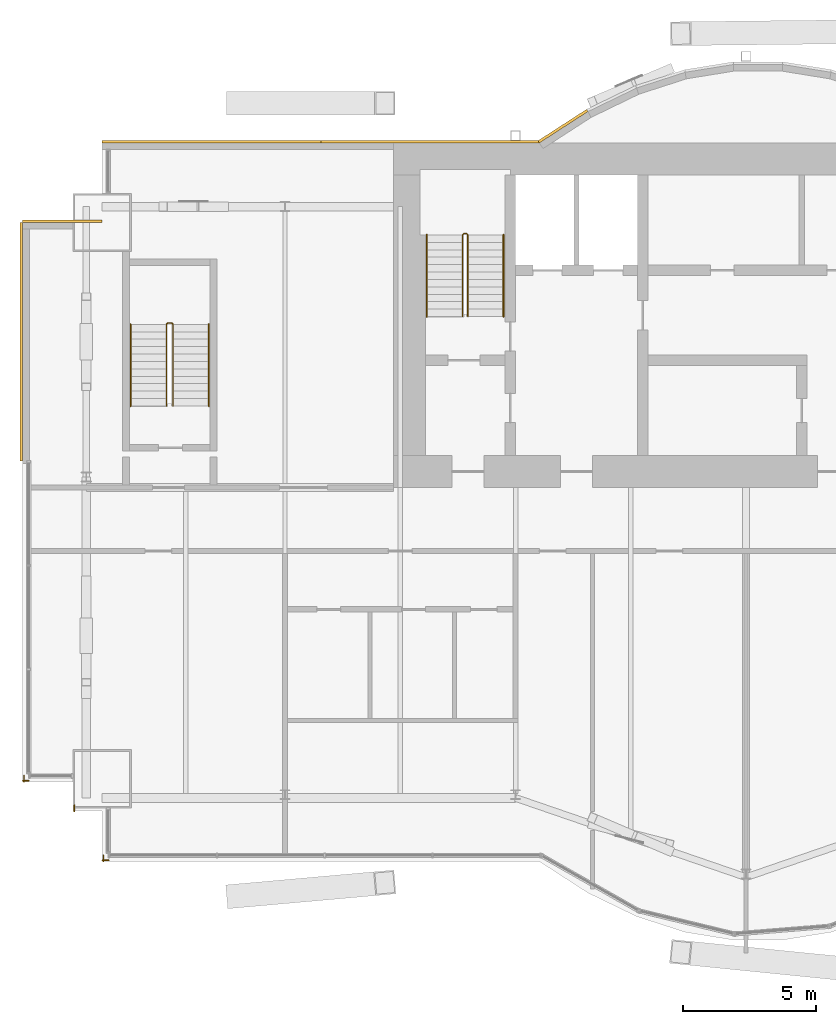
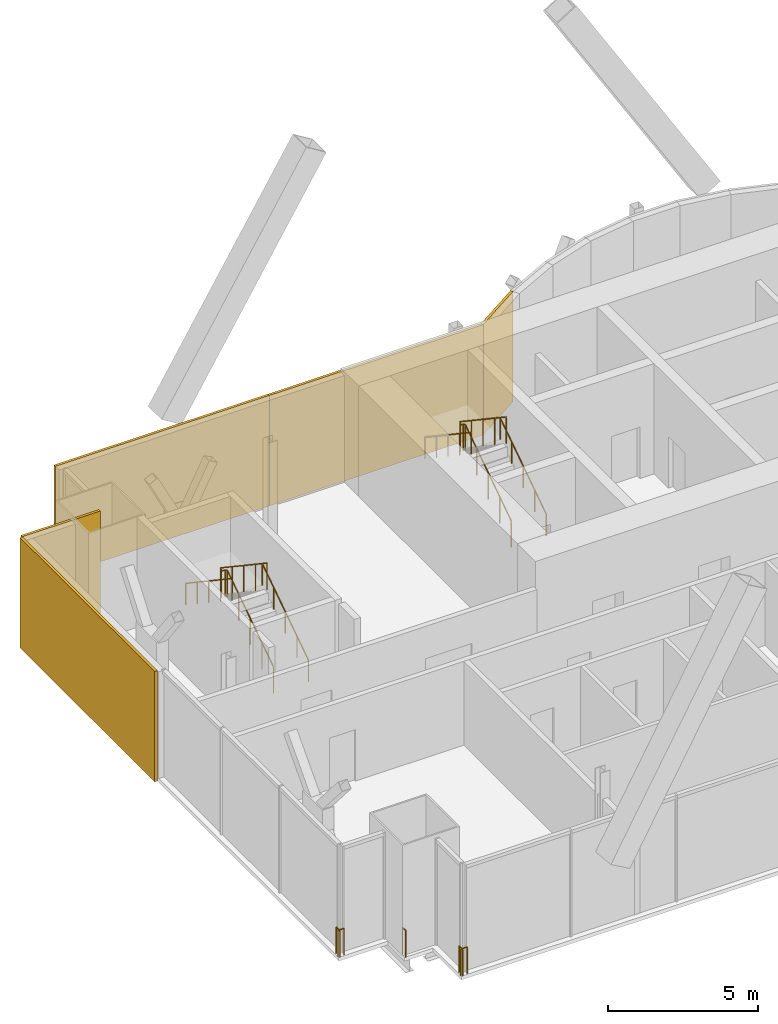
# One storey, part 17 of 19: 9 railings, 5 coverings.
"""IFC4 building model written with IfcOpenShell, lengths in metres."""

import ifcopenshell
import ifcopenshell.guid

model = None  # the IFC model being written
_history = None  # IfcOwnerHistory: only IFC2X3 demands one
_inside = {}  # id of a spatial element -> (the spatial element, [elements in it])
_under = {}  # id of a project, library or spatial element -> (it, [spatial elements below it])
_declared = {}  # id of a project -> (the project, [libraries it declares])
_typed = {}  # id of a type object -> (the type object, [elements of that type])
_made_of = {}  # id of a material, layer set ... -> (it, [elements and type objects made of it])


def new_model(schema):
    """Start an empty IFC model of exactly this schema.

    Asked for "IFC4X3", IfcOpenShell would pick the latest addendum, in which some entities
    have other attributes; the version numbers below select the first issue.
    IFC2X3 requires an IfcOwnerHistory on every rooted entity: one is made here for all.
    """
    global model, _history
    if schema == "IFC4X3":
        model = ifcopenshell.file(schema_version=(4, 3, 0, 0))
    else:
        model = ifcopenshell.file(schema=schema)
    _inside.clear()
    _under.clear()
    _declared.clear()
    _typed.clear()
    _made_of.clear()
    _history = None
    if model.schema == "IFC2X3":
        org = make("IfcOrganization", Name="unknown")
        user = make(
            "IfcPersonAndOrganization",
            ThePerson=make("IfcPerson", FamilyName="unknown"),
            TheOrganization=org,
        )
        app = make(
            "IfcApplication",
            ApplicationDeveloper=org,
            Version="unknown",
            ApplicationFullName="unknown",
            ApplicationIdentifier="unknown",
        )
        _history = make(
            "IfcOwnerHistory",
            OwningUser=user,
            OwningApplication=app,
            ChangeAction="ADDED",
            CreationDate=0,
        )
    return model


def make(cls, **values):
    """One entity of the class cls with the attributes given. An attribute that is None is left unset."""
    return model.create_entity(
        cls, **{name: value for name, value in values.items() if value is not None}
    )


def rooted(cls, **values):
    """An entity with a GlobalId (a new one), such as an element, a storey or a relation."""
    return make(cls, GlobalId=ifcopenshell.guid.new(), OwnerHistory=_history, **values)


def si_unit(unit_type, name, prefix=None):
    """IfcSIUnit, for example si_unit("LENGTHUNIT", "METRE", prefix="MILLI")."""
    return make("IfcSIUnit", UnitType=unit_type, Prefix=prefix, Name=name)


def assignment(units):
    """IfcUnitAssignment: the units of a project."""
    return None if units is None else make("IfcUnitAssignment", Units=units)


def point(xyz):
    """IfcCartesianPoint."""
    return None if xyz is None else make("IfcCartesianPoint", Coordinates=xyz)


def direction(xyz):
    """IfcDirection."""
    return None if xyz is None else make("IfcDirection", DirectionRatios=xyz)


def frame(location, z_axis=None, x_axis=None):
    """IfcAxis2Placement3D, a coordinate frame: its origin and axes. An axis left out is left unset."""
    return make(
        "IfcAxis2Placement3D",
        Location=point(location),
        Axis=direction(z_axis),
        RefDirection=direction(x_axis),
    )


def frame_2d(location, x_axis=None):
    """IfcAxis2Placement2D, a coordinate frame in the plane: its origin and x axis."""
    return make(
        "IfcAxis2Placement2D", Location=point(location), RefDirection=direction(x_axis)
    )


def origin():
    """The frame at (0, 0, 0) with its axes left unset."""
    return frame((0.0, 0.0, 0.0))


def origin_2d():
    """The frame at (0, 0) in the plane with its x axis left unset."""
    return frame_2d((0.0, 0.0))


def place(relative_to, where):
    """IfcLocalPlacement: puts the frame where relative to a parent placement (None: the world)."""
    return make(
        "IfcLocalPlacement", PlacementRelTo=relative_to, RelativePlacement=where
    )


def context(
    kind, dimensions, precision=None, world=None, true_north=None, identifier=None
):
    """IfcGeometricRepresentationContext, for example the 3D "Model" context."""
    return make(
        "IfcGeometricRepresentationContext",
        ContextIdentifier=identifier,
        ContextType=kind,
        CoordinateSpaceDimension=dimensions,
        Precision=precision,
        WorldCoordinateSystem=world,
        TrueNorth=true_north,
    )


def subcontext(parent, identifier, kind, view, scale=None):
    """IfcGeometricRepresentationSubContext, for example "Body" below "Model"."""
    return make(
        "IfcGeometricRepresentationSubContext",
        ContextIdentifier=identifier,
        ContextType=kind,
        ParentContext=parent,
        TargetScale=scale,
        TargetView=view,
    )


def project(units=None, contexts=None):
    """IfcProject with its units and contexts."""
    return rooted(
        "IfcProject",
        Name="project",
        RepresentationContexts=contexts,
        UnitsInContext=assignment(units),
    )


def spatial(cls, under=None, at=None, **own):
    """A site, building, storey or space (cls), placed at a placement, below another one or the project."""
    s = rooted(cls, ObjectPlacement=at, **own)
    if under is not None:
        _under.setdefault(under.id(), (under, []))[1].append(s)
    return s


def profile(cls, at=None, kind="AREA", **sizes):
    """A parametric profile (cls). Its sizes go by their IFC names, for example OverallWidth=200.0."""
    return make(cls, ProfileType=kind, Position=at, **sizes)


def rectangle(**sizes):
    """IfcRectangleProfileDef."""
    return profile("IfcRectangleProfileDef", **sizes)


def circle(**sizes):
    """IfcCircleProfileDef."""
    return profile("IfcCircleProfileDef", **sizes)


def extrude(swept, where, along, depth):
    """IfcExtrudedAreaSolid: the profile swept, set in the frame where, extruded along a direction by depth."""
    return make(
        "IfcExtrudedAreaSolid",
        SweptArea=swept,
        Position=where,
        ExtrudedDirection=direction(along),
        Depth=depth,
    )


def shape(context_of_items, identifier, shape_type, items):
    """IfcShapeRepresentation: the items that make up one representation, for example the "Body"."""
    return make(
        "IfcShapeRepresentation",
        ContextOfItems=context_of_items,
        RepresentationIdentifier=identifier,
        RepresentationType=shape_type,
        Items=items,
    )


def material(Name=None, Category=None):
    """IfcMaterial."""
    return make("IfcMaterial", Name=Name, Category=Category)


def layer(
    of_material, thickness, ventilated=None, Name=None, Category=None, Priority=None
):
    """IfcMaterialLayer: one layer of a wall or slab, of a material (None: an air gap)."""
    return make(
        "IfcMaterialLayer",
        Material=of_material,
        LayerThickness=thickness,
        IsVentilated=ventilated,
        Name=Name,
        Category=Category,
        Priority=Priority,
    )


def layer_set(layers, Name=None):
    """IfcMaterialLayerSet."""
    return make("IfcMaterialLayerSet", MaterialLayers=layers, LayerSetName=Name)


def made_of(thing, what):
    """Note that an element or type object is made of a material, layer set ...; save() writes the relation."""
    if what is not None:
        _made_of.setdefault(what.id(), (what, []))[1].append(thing)
    return thing


def type_object(cls, material=None, **own):
    """A type object (cls), such as IfcWallType, which elements share."""
    return made_of(rooted(cls, **own), material)


def element(
    cls,
    number,
    at=None,
    inside=None,
    cuts=None,
    type_object=None,
    material=None,
    context=None,
    identifier="Body",
    shape_type=None,
    held_by="IfcProductDefinitionShape",
    body=None,
    shapes=None,
    **own,
):
    """One element of the class cls, such as IfcWall. Its Tag is "e" and its number.

    at: its placement. inside: the storey or other place that contains it. cuts: it is an
    opening in that element (IfcRelVoidsElement). A single representation is given by context,
    identifier, shape_type and body (its items); several are given by shapes. held_by: the class
    of the entity that holds the representations. save() writes the other relations.
    """
    e = rooted(cls, Tag="e%d" % number, ObjectPlacement=at, **own)
    if body is not None:
        shapes = [shape(context, identifier, shape_type, body)]
    if shapes is not None:
        e.Representation = make(held_by, Representations=shapes)
    if inside is not None:
        _inside.setdefault(inside.id(), (inside, []))[1].append(e)
    if cuts is not None:
        rooted(
            "IfcRelVoidsElement", RelatingBuildingElement=cuts, RelatedOpeningElement=e
        )
    if type_object is not None:
        _typed.setdefault(type_object.id(), (type_object, []))[1].append(e)
    return made_of(e, material)


def aggregate(whole, parts):
    """IfcRelAggregates: a whole, such as a stair, and the parts it consists of."""
    return rooted("IfcRelAggregates", RelatingObject=whole, RelatedObjects=parts)


def save(model, path):
    """Write the relations noted so far, then the file.

    IfcRelAggregates (storeys below a building ...), IfcRelContainedInSpatialStructure (elements
    in a storey), IfcRelDefinesByType, IfcRelAssociatesMaterial and IfcRelDeclares: one each for
    every whole, place, type object, material and project.
    """
    for whole, parts in _under.values():
        aggregate(whole, parts)
    for where, things in _inside.values():
        rooted(
            "IfcRelContainedInSpatialStructure",
            RelatedElements=things,
            RelatingStructure=where,
        )
    for kind, things in _typed.values():
        rooted("IfcRelDefinesByType", RelatedObjects=things, RelatingType=kind)
    for what, things in _made_of.values():
        rooted("IfcRelAssociatesMaterial", RelatedObjects=things, RelatingMaterial=what)
    for by, libraries in _declared.values():
        rooted("IfcRelDeclares", RelatingContext=by, RelatedDefinitions=libraries)
    model.write(path)


model = new_model("IFC4")

# Units and contexts
model_context = context("Model", 3, precision=1e-05, world=origin(), true_north=direction((0.0, 1.0)))
body_context = subcontext(model_context, "Body", "Model", "MODEL_VIEW")
ifc_project = project(units=[si_unit("LENGTHUNIT", "METRE"), si_unit("AREAUNIT", "SQUARE_METRE"), si_unit("VOLUMEUNIT", "CUBIC_METRE"), si_unit("PLANEANGLEUNIT", "RADIAN"), si_unit("MASSUNIT", "GRAM", prefix="KILO")], contexts=[model_context])

# Site, building, storey
site_placement = place(None, origin())
site = spatial("IfcSite", under=ifc_project, at=site_placement, CompositionType="ELEMENT")
building_placement = place(site_placement, origin())
building = spatial("IfcBuilding", under=site, at=building_placement, Name="Bicima Exchange Tower", CompositionType="ELEMENT")
storey_placement = place(building_placement, frame((0.0, 0.0, 297.5)))
storey = spatial("IfcBuildingStorey", under=building, at=storey_placement, Name="L67", CompositionType="ELEMENT", Elevation=297.5)

# Coverings
ifc_material_1 = material(Name="Bronze metal cladding")
ifc_layer_1 = layer(ifc_material_1, 0.004)
ifc_material_2 = material(Name="Ventilated cavity")
ifc_layer_2 = layer(ifc_material_2, 0.06)
ifc_material_3 = material(Name="Galvanised steel rail and mineral wool", Category="steel")
ifc_layer_3 = layer(ifc_material_3, 0.036)
ifc_layer_set = layer_set([ifc_layer_1, ifc_layer_2, ifc_layer_3], Name="Ventilated cavity")
covering_type = type_object("IfcCoveringType", Name="Bronze metal cladding panel 100", PredefinedType="CLADDING", material=ifc_layer_set)
covering_1_placement = place(storey_placement, frame((-15.610595703125, 0.634521484375, -0.14990234375), z_axis=(0.0, 0.0, 1.0), x_axis=(-0.839790466384, -0.542910648791, 0.0)))
element("IfcCovering", 1, at=covering_1_placement, inside=storey, type_object=covering_type, Name="Bronze cladding L67 19.1", PredefinedType="CLADDING", context=body_context, shape_type="SweptSolid", body=[
    extrude(rectangle(XDim=2.18310546875, YDim=0.10009765625, at=origin_2d()), origin(), (0.0, 0.0, 1.0), 4.5),
])
for number, where, z_axis, x_axis, name in (
    (2, (-20.625, 0.050048828125, -0.14990234375), (0.0, 0.0, 1.0), (-1.0, 0.0, 0.0), "Bronze cladding L67 20.1"),
    (3, (-28.875, 0.050048828125, -0.14990234375), (0.0, 0.0, 1.0), (-1.0, 0.0, 0.0), "Bronze cladding L67 20.2"),
):
    element("IfcCovering", number, at=place(storey_placement, frame(where, z_axis=z_axis, x_axis=x_axis)), inside=storey, type_object=covering_type, Name=name, PredefinedType="CLADDING", context=body_context, shape_type="SweptSolid", body=[
        extrude(rectangle(XDim=8.25, YDim=0.10009765625, at=origin_2d()), origin(), (0.0, 0.0, 1.0), 4.5),
    ])
covering_2_placement = place(storey_placement, frame((-34.5, -2.949951171875, -0.14990234375), z_axis=(0.0, 0.0, 1.0), x_axis=(-1.0, 0.0, 0.0)))
element("IfcCovering", 4, at=covering_2_placement, inside=storey, type_object=covering_type, Name="Bronze cladding L67 22.1", PredefinedType="CLADDING", context=body_context, shape_type="SweptSolid", body=[
    extrude(rectangle(XDim=3.0, YDim=0.10009765625, at=origin_2d()), origin(), (0.0, 0.0, 1.0), 4.5),
])
covering_3_placement = place(storey_placement, frame((-36.050048828125, -7.5, -0.14990234375), z_axis=(0.0, 0.0, 1.0), x_axis=(0.0, -1.0, 0.0)))
element("IfcCovering", 5, at=covering_3_placement, inside=storey, type_object=covering_type, Name="Bronze cladding L67 23.1", PredefinedType="CLADDING", context=body_context, shape_type="SweptSolid", body=[
    extrude(rectangle(XDim=9.0, YDim=0.10009765625, at=origin_2d()), origin(), (0.0, 0.0, 1.0), 4.5),
])

# Railings
ifc_material_4 = material(Name="Stainless steel and bonded safety glass", Category="steel")
railing_type_1 = type_object("IfcRailingType", Name="Edge guard 1100", PredefinedType="GUARDRAIL", material=ifc_material_4)
railing_1_placement = place(storey_placement, frame((-35.762939453125, -24.06591796875, 0.0)))
element("IfcRailing", 6, at=railing_1_placement, inside=storey, type_object=railing_type_1, Name="Edge guard L67 343", PredefinedType="GUARDRAIL", context=body_context, shape_type="SweptSolid", body=[
    extrude(circle(Radius=0.02392578125, at=origin_2d()), frame((0.0, 0.0, 1.076171875), z_axis=(-1.0, 0.0, 0.0), x_axis=(0.0, -1.0, 0.0)), (0.0, 0.0, 1.0), 0.237060546875),
    extrude(circle(Radius=0.02392578125, at=origin_2d()), frame((-0.237060546875, 0.0, 1.076171875), z_axis=(0.707106781187, -0.707106781187, 0.0), x_axis=(0.707106781187, 0.707106781187, 0.0)), (0.0, 0.0, 1.0), 0.07080078125),
    extrude(circle(Radius=0.02392578125, at=origin_2d()), frame((-0.18701171875, -0.050048828125, 1.076171875), z_axis=(0.0, 1.0, 0.0), x_axis=(-1.0, 0.0, 0.0)), (0.0, 0.0, 1.0), 0.248046875),
    extrude(circle(Radius=0.02099609375, at=origin_2d()), origin(), (0.0, 0.0, 1.0), 1.052001953125),
    extrude(circle(Radius=0.02099609375, at=origin_2d()), frame((-0.237060546875, 0.0, 0.0)), (0.0, 0.0, 1.0), 1.052001953125),
    extrude(circle(Radius=0.02099609375, at=origin_2d()), frame((-0.18701171875, -0.050048828125, 0.0)), (0.0, 0.0, 1.0), 1.052001953125),
    extrude(circle(Radius=0.02099609375, at=origin_2d()), frame((-0.18701171875, 0.197998046875, 0.0)), (0.0, 0.0, 1.0), 1.052001953125),
])
railing_2_placement = place(storey_placement, frame((-32.75, -27.06591796875, 0.0)))
element("IfcRailing", 7, at=railing_2_placement, inside=storey, type_object=railing_type_1, Name="Edge guard L67 347", PredefinedType="GUARDRAIL", context=body_context, shape_type="SweptSolid", body=[
    extrude(circle(Radius=0.02392578125, at=origin_2d()), frame((0.0, 0.0, 1.076171875), z_axis=(-1.0, 0.0, 0.0), x_axis=(0.0, -1.0, 0.0)), (0.0, 0.0, 1.0), 0.25),
    extrude(circle(Radius=0.02392578125, at=origin_2d()), frame((-0.25, 0.0, 1.076171875), z_axis=(0.707106781187, -0.707106781187, 0.0), x_axis=(0.707106781187, 0.707106781187, 0.0)), (0.0, 0.0, 1.0), 0.07080078125),
    extrude(circle(Radius=0.02392578125, at=origin_2d()), frame((-0.199951171875, -0.050048828125, 1.076171875), z_axis=(0.0, 1.0, 0.0), x_axis=(-1.0, 0.0, 0.0)), (0.0, 0.0, 1.0), 0.238037109375),
    extrude(circle(Radius=0.02099609375, at=origin_2d()), origin(), (0.0, 0.0, 1.0), 1.052001953125),
    extrude(circle(Radius=0.02099609375, at=origin_2d()), frame((-0.25, 0.0, 0.0)), (0.0, 0.0, 1.0), 1.052001953125),
    extrude(circle(Radius=0.02099609375, at=origin_2d()), frame((-0.199951171875, -0.050048828125, 0.0)), (0.0, 0.0, 1.0), 1.052001953125),
    extrude(circle(Radius=0.02099609375, at=origin_2d()), frame((-0.199951171875, 0.18798828125, 0.0)), (0.0, 0.0, 1.0), 1.052001953125),
])
railing_3_placement = place(storey_placement, frame((-34.050048828125, -25.216064453125, 0.0)))
element("IfcRailing", 8, at=railing_3_placement, inside=storey, type_object=railing_type_1, Name="Edge guard L67 348", PredefinedType="GUARDRAIL", context=body_context, shape_type="SweptSolid", body=[
    extrude(circle(Radius=0.02392578125, at=origin_2d()), frame((0.0, 0.0, 1.076171875), z_axis=(0.0, 1.0, 0.0), x_axis=(-1.0, 0.0, 0.0)), (0.0, 0.0, 1.0), 0.219970703125),
    extrude(circle(Radius=0.02099609375, at=origin_2d()), origin(), (0.0, 0.0, 1.0), 1.052001953125),
    extrude(circle(Radius=0.02099609375, at=origin_2d()), frame((0.0, 0.219970703125, 0.0)), (0.0, 0.0, 1.0), 1.052001953125),
])
ifc_material_5 = material(Name="Stainless steel", Category="steel")
railing_type_2 = type_object("IfcRailingType", Name="Stair guard 1100", PredefinedType="GUARDRAIL", material=ifc_material_5)
railing_4_placement = place(storey_placement, frame((-19.199951171875, -6.550048828125, 0.1875)))
element("IfcRailing", 9, at=railing_4_placement, inside=storey, type_object=railing_type_2, Name="L67 ST-W stair guard 1", PredefinedType="GUARDRAIL", context=body_context, shape_type="SweptSolid", body=[
    extrude(circle(Radius=0.02392578125, at=origin_2d()), frame((0.0, 0.0, 1.076171875), z_axis=(0.0, 0.830913701846, 0.55640131208), x_axis=(-1.0, 0.0, 0.0)), (0.0, 0.0, 1.0), 3.706787109375),
    extrude(circle(Radius=0.02392578125, at=origin_2d()), frame((0.0, 3.080078125, 3.138671875), z_axis=(-0.707106781187, 0.707106781187, 0.0), x_axis=(-0.707106781187, -0.707106781187, 0.0)), (0.0, 0.0, 1.0), 0.07080078125),
    extrude(circle(Radius=0.02392578125, at=origin_2d()), frame((-0.050048828125, 3.130126953125, 3.138671875), z_axis=(-1.0, 0.0, 0.0), x_axis=(0.0, -1.0, 0.0)), (0.0, 0.0, 1.0), 0.10009765625),
    extrude(circle(Radius=0.02392578125, at=origin_2d()), frame((-0.150146484375, 3.130126953125, 3.138671875), z_axis=(-0.248583702486, -0.249802250048, 0.935844527007), x_axis=(0.708833529934, -0.705375805398, 0.0)), (0.0, 0.0, 1.0), 0.200439453125),
    extrude(circle(Radius=0.02392578125, at=origin_2d()), frame((-0.199951171875, 3.080078125, 3.326171875), z_axis=(0.0, -0.830913701846, 0.55640131208), x_axis=(1.0, 0.0, 0.0)), (0.0, 0.0, 1.0), 3.706787109375),
    extrude(circle(Radius=0.02099609375, at=origin_2d()), origin(), (0.0, 0.0, 1.0), 1.052001953125),
    extrude(circle(Radius=0.02099609375, at=origin_2d()), frame((0.0, 0.77001953125, 0.515625)), (0.0, 0.0, 1.0), 1.052001953125),
    extrude(circle(Radius=0.02099609375, at=origin_2d()), frame((0.0, 1.5400390625, 1.03125)), (0.0, 0.0, 1.0), 1.052001953125),
    extrude(circle(Radius=0.02099609375, at=origin_2d()), frame((0.0, 2.31005859375, 1.546875)), (0.0, 0.0, 1.0), 1.052001953125),
    extrude(circle(Radius=0.02099609375, at=origin_2d()), frame((0.0, 3.080078125, 2.0625)), (0.0, 0.0, 1.0), 1.052001953125),
    extrude(circle(Radius=0.02099609375, at=origin_2d()), frame((-0.050048828125, 3.130126953125, 2.0625)), (0.0, 0.0, 1.0), 1.052001953125),
    extrude(circle(Radius=0.02099609375, at=origin_2d()), frame((-0.150146484375, 3.130126953125, 2.0625)), (0.0, 0.0, 1.0), 1.052001953125),
    extrude(circle(Radius=0.02099609375, at=origin_2d()), frame((-0.199951171875, 3.080078125, 2.25)), (0.0, 0.0, 1.0), 1.052001953125),
    extrude(circle(Radius=0.02099609375, at=origin_2d()), frame((-0.199951171875, 2.31005859375, 2.765625)), (0.0, 0.0, 1.0), 1.052001953125),
    extrude(circle(Radius=0.02099609375, at=origin_2d()), frame((-0.199951171875, 1.5400390625, 3.28125)), (0.0, 0.0, 1.0), 1.052001953125),
    extrude(circle(Radius=0.02099609375, at=origin_2d()), frame((-0.199951171875, 0.77001953125, 3.796875)), (0.0, 0.0, 1.0), 1.052001953125),
    extrude(circle(Radius=0.02099609375, at=origin_2d()), frame((-0.199951171875, 0.0, 4.3125)), (0.0, 0.0, 1.0), 1.052001953125),
])
railing_5_placement = place(storey_placement, frame((-30.324951171875, -9.925048828125, 0.1875)))
element("IfcRailing", 10, at=railing_5_placement, inside=storey, type_object=railing_type_2, Name="L67 ST-WW stair guard 1", PredefinedType="GUARDRAIL", context=body_context, shape_type="SweptSolid", body=[
    extrude(circle(Radius=0.02392578125, at=origin_2d()), frame((0.0, 0.0, 1.076171875), z_axis=(0.0, 0.830913701846, 0.55640131208), x_axis=(-1.0, 0.0, 0.0)), (0.0, 0.0, 1.0), 3.706787109375),
    extrude(circle(Radius=0.02392578125, at=origin_2d()), frame((0.0, 3.080078125, 3.138671875), z_axis=(-0.707106781187, 0.707106781187, 0.0), x_axis=(-0.707106781187, -0.707106781187, 0.0)), (0.0, 0.0, 1.0), 0.07080078125),
    extrude(circle(Radius=0.02392578125, at=origin_2d()), frame((-0.050048828125, 3.130126953125, 3.138671875), z_axis=(-1.0, 0.0, 0.0), x_axis=(0.0, -1.0, 0.0)), (0.0, 0.0, 1.0), 0.14990234375),
    extrude(circle(Radius=0.02392578125, at=origin_2d()), frame((-0.199951171875, 3.130126953125, 3.138671875), z_axis=(-0.249726431254, -0.249726431254, 0.935560483917), x_axis=(0.707106781187, -0.707106781187, 0.0)), (0.0, 0.0, 1.0), 0.200439453125),
    extrude(circle(Radius=0.02392578125, at=origin_2d()), frame((-0.25, 3.080078125, 3.326171875), z_axis=(0.0, -0.830913701846, 0.55640131208), x_axis=(1.0, 0.0, 0.0)), (0.0, 0.0, 1.0), 3.706787109375),
    extrude(circle(Radius=0.02099609375, at=origin_2d()), origin(), (0.0, 0.0, 1.0), 1.052001953125),
    extrude(circle(Radius=0.02099609375, at=origin_2d()), frame((0.0, 0.77001953125, 0.515625)), (0.0, 0.0, 1.0), 1.052001953125),
    extrude(circle(Radius=0.02099609375, at=origin_2d()), frame((0.0, 1.5400390625, 1.03125)), (0.0, 0.0, 1.0), 1.052001953125),
    extrude(circle(Radius=0.02099609375, at=origin_2d()), frame((0.0, 2.31005859375, 1.546875)), (0.0, 0.0, 1.0), 1.052001953125),
    extrude(circle(Radius=0.02099609375, at=origin_2d()), frame((0.0, 3.080078125, 2.0625)), (0.0, 0.0, 1.0), 1.052001953125),
    extrude(circle(Radius=0.02099609375, at=origin_2d()), frame((-0.050048828125, 3.130126953125, 2.0625)), (0.0, 0.0, 1.0), 1.052001953125),
    extrude(circle(Radius=0.02099609375, at=origin_2d()), frame((-0.199951171875, 3.130126953125, 2.0625)), (0.0, 0.0, 1.0), 1.052001953125),
    extrude(circle(Radius=0.02099609375, at=origin_2d()), frame((-0.25, 3.080078125, 2.25)), (0.0, 0.0, 1.0), 1.052001953125),
    extrude(circle(Radius=0.02099609375, at=origin_2d()), frame((-0.25, 2.31005859375, 2.765625)), (0.0, 0.0, 1.0), 1.052001953125),
    extrude(circle(Radius=0.02099609375, at=origin_2d()), frame((-0.25, 1.5400390625, 3.28125)), (0.0, 0.0, 1.0), 1.052001953125),
    extrude(circle(Radius=0.02099609375, at=origin_2d()), frame((-0.25, 0.77001953125, 3.796875)), (0.0, 0.0, 1.0), 1.052001953125),
    extrude(circle(Radius=0.02099609375, at=origin_2d()), frame((-0.25, 0.0, 4.3125)), (0.0, 0.0, 1.0), 1.052001953125),
])
railing_type_3 = type_object("IfcRailingType", Name="Stair handrail 900", PredefinedType="HANDRAIL", material=ifc_material_5)
railing_6_placement = place(storey_placement, frame((-17.85009765625, -6.550048828125, 0.1875)))
element("IfcRailing", 11, at=railing_6_placement, inside=storey, type_object=railing_type_3, Name="L67 ST-W stair handrail 1", PredefinedType="HANDRAIL", context=body_context, shape_type="SweptSolid", body=[
    extrude(circle(Radius=0.02392578125, at=origin_2d()), frame((0.0, 0.0, 0.8759765625), z_axis=(0.0, 0.830913701846, 0.55640131208), x_axis=(-1.0, 0.0, 0.0)), (0.0, 0.0, 1.0), 3.706787109375),
    extrude(circle(Radius=0.02099609375, at=origin_2d()), origin(), (0.0, 0.0, 1.0), 0.851806640625),
    extrude(circle(Radius=0.02099609375, at=origin_2d()), frame((0.0, 0.77001953125, 0.515625)), (0.0, 0.0, 1.0), 0.851806640625),
    extrude(circle(Radius=0.02099609375, at=origin_2d()), frame((0.0, 1.5400390625, 1.03125)), (0.0, 0.0, 1.0), 0.851806640625),
    extrude(circle(Radius=0.02099609375, at=origin_2d()), frame((0.0, 2.31005859375, 1.546875)), (0.0, 0.0, 1.0), 0.851806640625),
    extrude(circle(Radius=0.02099609375, at=origin_2d()), frame((0.0, 3.080078125, 2.0625)), (0.0, 0.0, 1.0), 0.851806640625),
])
railing_7_placement = place(storey_placement, frame((-20.75, -3.469970703125, 2.47900390625)))
element("IfcRailing", 12, at=railing_7_placement, inside=storey, type_object=railing_type_3, Name="L67 ST-W stair handrail 2", PredefinedType="HANDRAIL", context=body_context, shape_type="SweptSolid", body=[
    extrude(circle(Radius=0.02392578125, at=origin_2d()), frame((0.0, 0.0, 0.8759765625), z_axis=(0.0, -0.830913701846, 0.55640131208), x_axis=(1.0, 0.0, 0.0)), (0.0, 0.0, 1.0), 3.706787109375),
    extrude(circle(Radius=0.02099609375, at=origin_2d()), origin(), (0.0, 0.0, 1.0), 0.851806640625),
    extrude(circle(Radius=0.02099609375, at=origin_2d()), frame((0.0, -0.77001953125, 0.515625)), (0.0, 0.0, 1.0), 0.851806640625),
    extrude(circle(Radius=0.02099609375, at=origin_2d()), frame((0.0, -1.5400390625, 1.03125)), (0.0, 0.0, 1.0), 0.851806640625),
    extrude(circle(Radius=0.02099609375, at=origin_2d()), frame((0.0, -2.31005859375, 1.546875)), (0.0, 0.0, 1.0), 0.851806640625),
    extrude(circle(Radius=0.02099609375, at=origin_2d()), frame((0.0, -3.080078125, 2.0625)), (0.0, 0.0, 1.0), 0.851806640625),
])
railing_8_placement = place(storey_placement, frame((-28.97509765625, -9.925048828125, 0.1875)))
element("IfcRailing", 13, at=railing_8_placement, inside=storey, type_object=railing_type_3, Name="L67 ST-WW stair handrail 1", PredefinedType="HANDRAIL", context=body_context, shape_type="SweptSolid", body=[
    extrude(circle(Radius=0.02392578125, at=origin_2d()), frame((0.0, 0.0, 0.8759765625), z_axis=(0.0, 0.830913701846, 0.55640131208), x_axis=(-1.0, 0.0, 0.0)), (0.0, 0.0, 1.0), 3.706787109375),
    extrude(circle(Radius=0.02099609375, at=origin_2d()), origin(), (0.0, 0.0, 1.0), 0.851806640625),
    extrude(circle(Radius=0.02099609375, at=origin_2d()), frame((0.0, 0.77001953125, 0.515625)), (0.0, 0.0, 1.0), 0.851806640625),
    extrude(circle(Radius=0.02099609375, at=origin_2d()), frame((0.0, 1.5400390625, 1.03125)), (0.0, 0.0, 1.0), 0.851806640625),
    extrude(circle(Radius=0.02099609375, at=origin_2d()), frame((0.0, 2.31005859375, 1.546875)), (0.0, 0.0, 1.0), 0.851806640625),
    extrude(circle(Radius=0.02099609375, at=origin_2d()), frame((0.0, 3.080078125, 2.0625)), (0.0, 0.0, 1.0), 0.851806640625),
])
railing_9_placement = place(storey_placement, frame((-31.925048828125, -6.844970703125, 2.47900390625)))
element("IfcRailing", 14, at=railing_9_placement, inside=storey, type_object=railing_type_3, Name="L67 ST-WW stair handrail 2", PredefinedType="HANDRAIL", context=body_context, shape_type="SweptSolid", body=[
    extrude(circle(Radius=0.02392578125, at=origin_2d()), frame((0.0, 0.0, 0.8759765625), z_axis=(0.0, -0.830913701846, 0.55640131208), x_axis=(1.0, 0.0, 0.0)), (0.0, 0.0, 1.0), 3.706787109375),
    extrude(circle(Radius=0.02099609375, at=origin_2d()), origin(), (0.0, 0.0, 1.0), 0.851806640625),
    extrude(circle(Radius=0.02099609375, at=origin_2d()), frame((0.0, -0.77001953125, 0.515625)), (0.0, 0.0, 1.0), 0.851806640625),
    extrude(circle(Radius=0.02099609375, at=origin_2d()), frame((0.0, -1.5400390625, 1.03125)), (0.0, 0.0, 1.0), 0.851806640625),
    extrude(circle(Radius=0.02099609375, at=origin_2d()), frame((0.0, -2.31005859375, 1.546875)), (0.0, 0.0, 1.0), 0.851806640625),
    extrude(circle(Radius=0.02099609375, at=origin_2d()), frame((0.0, -3.080078125, 2.0625)), (0.0, 0.0, 1.0), 0.851806640625),
])

save(model, "model.ifc")
